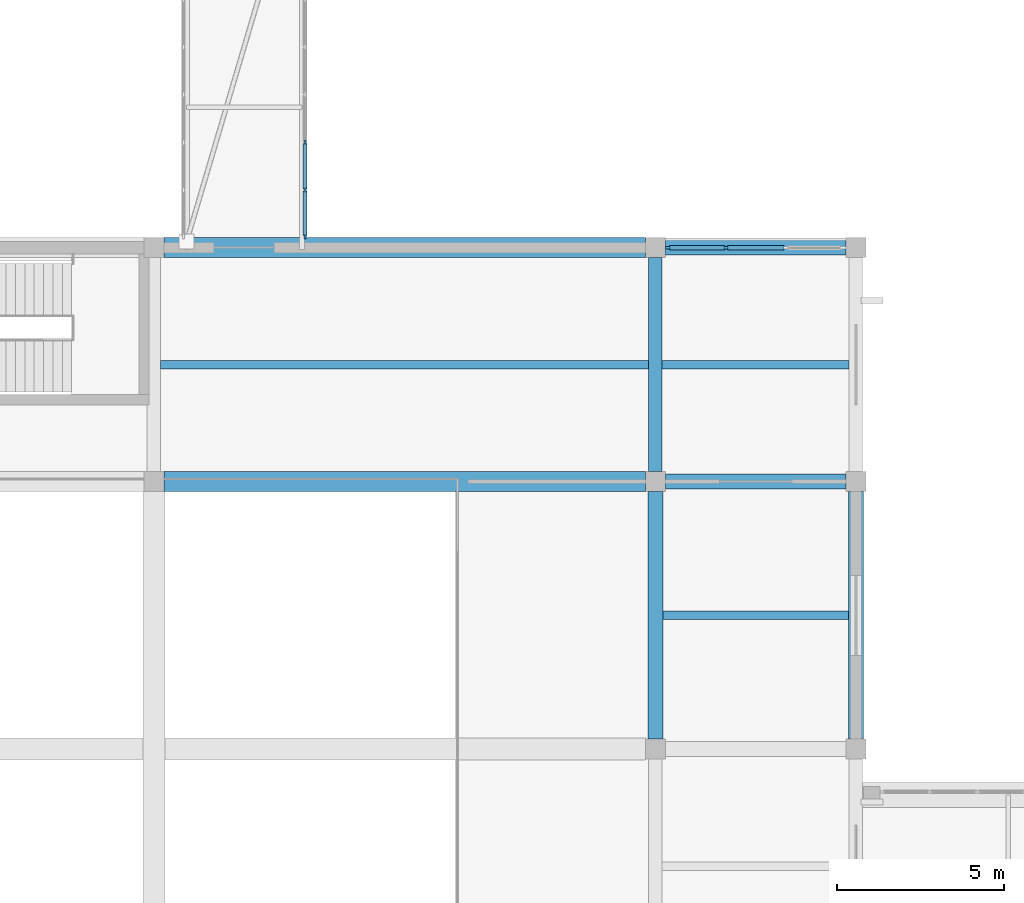
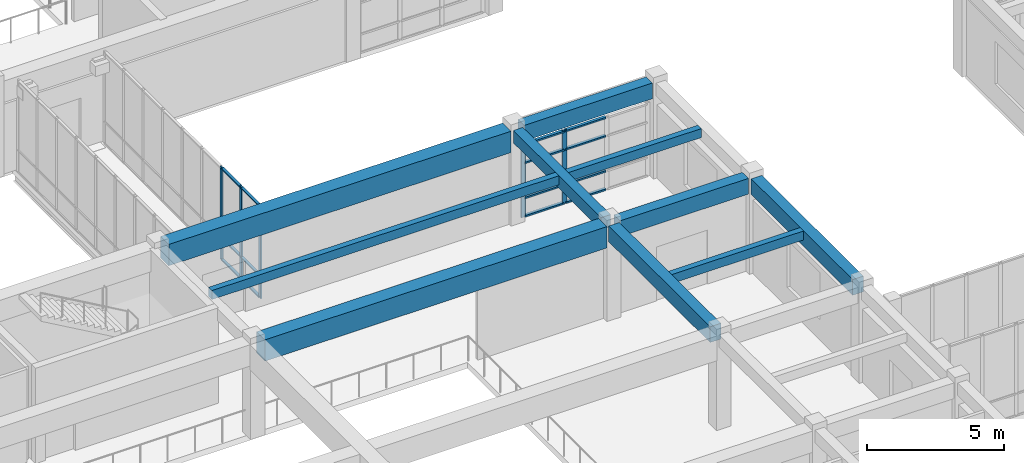
# One storey, part 9 of 72: 19 members, 10 beams, 2 elements without a shape of their own.
"""IFC4 building model written with IfcOpenShell, lengths in metres."""

from ifc_helpers import new_model, si_unit, direction, frame, origin, origin_2d, place, context, subcontext, project, spatial, rectangle, extrude, material, layer, layer_set, material_profile, profile_set, type_object, element, aggregate, save


model = new_model("IFC4")

# Units and contexts
model_context = context("Model", 3, precision=1e-05, world=origin(), true_north=direction((0.0, 1.0)))
body_context = subcontext(model_context, "Body", "Model", "MODEL_VIEW")
ifc_project = project(units=[si_unit("LENGTHUNIT", "METRE"), si_unit("AREAUNIT", "SQUARE_METRE"), si_unit("VOLUMEUNIT", "CUBIC_METRE"), si_unit("PLANEANGLEUNIT", "RADIAN"), si_unit("MASSUNIT", "GRAM", prefix="KILO")], contexts=[model_context])

# Site, building, storey
site_placement = place(None, origin())
site = spatial("IfcSite", under=ifc_project, at=site_placement, CompositionType="ELEMENT")
building_placement = place(site_placement, origin())
building = spatial("IfcBuilding", under=site, at=building_placement, Name="Naurynzar Civic Courthouse", CompositionType="ELEMENT")
storey_placement = place(building_placement, frame((0.0, 0.0, 9.89990234375)))
storey = spatial("IfcBuildingStorey", under=building, at=storey_placement, Name="L03", CompositionType="ELEMENT", Elevation=9.89990234375)

# Beams
ifc_material_1 = material(Name="Concrete C40/50", Category="concrete")
ifc_material_profile_1 = material_profile(ifc_material_1, rectangle(XDim=0.25, YDim=0.39990234375, at=origin_2d()), Name="RCB 250x400")
ifc_profile_set_1 = profile_set([ifc_material_profile_1], Name="Concrete C40/50")
beam_type_1 = type_object("IfcBeamType", Name="BM-JST-250x400", PredefinedType="JOIST", material=ifc_profile_set_1)
beam_1_placement = place(storey_placement, frame((50.22509765625, 21.0, 4.030029296875), z_axis=(1.0, 0.0, 0.0), x_axis=(0.0, 1.0, 0.0)))
element("IfcBeam", 1, at=beam_1_placement, inside=storey, type_object=beam_type_1, Name="V4 secondary rib 1908 L03", PredefinedType="JOIST", context=body_context, shape_type="SweptSolid", body=[
    extrude(rectangle(XDim=0.25, YDim=0.39990234375, at=origin_2d()), origin(), (0.0, 0.0, 1.0), 5.5498046875),
])
beam_2_placement = place(storey_placement, frame((35.199951171875, 28.5, 4.030029296875), z_axis=(1.0, 0.0, 0.0), x_axis=(0.0, 1.0, 0.0)))
element("IfcBeam", 2, at=beam_2_placement, inside=storey, type_object=beam_type_1, Name="V4 secondary rib 1909 L03", PredefinedType="JOIST", context=body_context, shape_type="SweptSolid", body=[
    extrude(rectangle(XDim=0.25, YDim=0.39990234375, at=origin_2d()), origin(), (0.0, 0.0, 1.0), 14.60009765625),
])
beam_3_placement = place(storey_placement, frame((50.199951171875, 28.5, 4.030029296875), z_axis=(1.0, 0.0, 0.0), x_axis=(0.0, 1.0, 0.0)))
element("IfcBeam", 3, at=beam_3_placement, inside=storey, type_object=beam_type_1, Name="V4 secondary rib 1910 L03", PredefinedType="JOIST", context=body_context, shape_type="SweptSolid", body=[
    extrude(rectangle(XDim=0.25, YDim=0.39990234375, at=origin_2d()), origin(), (0.0, 0.0, 1.0), 5.60009765625),
])
ifc_material_2 = material(Name="Concrete C40/50", Category="concrete")
ifc_material_profile_2 = material_profile(ifc_material_2, rectangle(XDim=0.60009765625, YDim=0.949951171875, at=origin_2d()), Name="PTB 600x950")
ifc_profile_set_2 = profile_set([ifc_material_profile_2], Name="Concrete C40/50")
beam_type_2 = type_object("IfcBeamType", Name="BM-PT-600x950", PredefinedType="T_BEAM", material=ifc_profile_set_2)
for number, where, z_axis, x_axis, name in (
    (4, (35.300048828125, 25.0, 3.755126953125), (1.0, 0.0, 0.0), (0.0, 1.0, 0.0), "V4 beam X-1873 L03"),
    (5, (35.300048828125, 32.0, 3.755126953125), (1.0, 0.0, 0.0), (0.0, 1.0, 0.0), "V4 beam X-1878 L03"),
):
    element("IfcBeam", number, at=place(storey_placement, frame(where, z_axis=z_axis, x_axis=x_axis)), inside=storey, type_object=beam_type_2, Name=name, PredefinedType="T_BEAM", context=body_context, shape_type="SweptSolid", body=[
        extrude(rectangle(XDim=0.60009765625, YDim=0.949951171875, at=origin_2d()), origin(), (0.0, 0.0, 1.0), 14.39990234375),
    ])
ifc_material_3 = material(Name="Concrete C40/50", Category="concrete")
ifc_material_profile_3 = material_profile(ifc_material_3, rectangle(XDim=0.39990234375, YDim=0.550048828125, at=origin_2d()), Name="RCB 400x550")
ifc_profile_set_3 = profile_set([ifc_material_profile_3], Name="Concrete C40/50")
beam_type_3 = type_object("IfcBeamType", Name="BM-RC-400x550", PredefinedType="BEAM", material=ifc_profile_set_3)
beam_4_placement = place(storey_placement, frame((50.0, 25.300048828125, 3.955078125), z_axis=(0.0, 1.0, 0.0), x_axis=(-1.0, 0.0, 0.0)))
element("IfcBeam", 6, at=beam_4_placement, inside=storey, type_object=beam_type_3, Name="V4 girder Y-1898 L03", PredefinedType="BEAM", context=body_context, shape_type="SweptSolid", body=[
    extrude(rectangle(XDim=0.39990234375, YDim=0.550048828125, at=origin_2d()), origin(), (0.0, 0.0, 1.0), 6.39990234375),
])
ifc_material_4 = material(Name="Concrete C40/50", Category="concrete")
ifc_material_profile_4 = material_profile(ifc_material_4, rectangle(XDim=0.449951171875, YDim=0.699951171875, at=origin_2d()), Name="RCB 450x700")
ifc_profile_set_4 = profile_set([ifc_material_profile_4], Name="Concrete C40/50")
beam_type_4 = type_object("IfcBeamType", Name="BM-RC-450x700", PredefinedType="BEAM", material=ifc_profile_set_4)
for number, where, z_axis, x_axis, name in (
    (7, (50.300048828125, 25.0, 3.880126953125), (1.0, 0.0, 0.0), (0.0, 1.0, 0.0), "V4 beam X-1874 L03"),
    (8, (50.300048828125, 32.0, 3.880126953125), (1.0, 0.0, 0.0), (0.0, 1.0, 0.0), "V4 beam X-1879 L03"),
):
    element("IfcBeam", number, at=place(storey_placement, frame(where, z_axis=z_axis, x_axis=x_axis)), inside=storey, type_object=beam_type_4, Name=name, PredefinedType="BEAM", context=body_context, shape_type="SweptSolid", body=[
        extrude(rectangle(XDim=0.449951171875, YDim=0.699951171875, at=origin_2d()), origin(), (0.0, 0.0, 1.0), 5.39990234375),
    ])
for number, where, z_axis, x_axis, name in (
    (9, (50.0, 17.300048828125, 3.880126953125), (0.0, 1.0, 0.0), (-1.0, 0.0, 0.0), "V4 girder Y-1897 L03"),
    (10, (56.0, 17.300048828125, 3.880126953125), (0.0, 1.0, 0.0), (-1.0, 0.0, 0.0), "V4 girder Y-1901 L03"),
):
    element("IfcBeam", number, at=place(storey_placement, frame(where, z_axis=z_axis, x_axis=x_axis)), inside=storey, type_object=beam_type_4, Name=name, PredefinedType="BEAM", context=body_context, shape_type="SweptSolid", body=[
        extrude(rectangle(XDim=0.449951171875, YDim=0.699951171875, at=origin_2d()), origin(), (0.0, 0.0, 1.0), 7.39990234375),
    ])

# Curtain wall, members
ifc_material_5 = material(Name="Aluminium 6063-T6", Category="aluminium")
ifc_layer_1 = layer(ifc_material_5, 0.14990234375)
ifc_layer_set_1 = layer_set([ifc_layer_1], Name="CW-BRIDGE-1500")
curtain_wall_type_1 = type_object("IfcCurtainWallType", Name="CW-BRIDGE-1500", PredefinedType="USERDEFINED", material=ifc_layer_set_1)
curtain_wall_1_placement = place(storey_placement, origin())
curtain_wall_1 = element("IfcCurtainWall", 11, at=curtain_wall_1_placement, inside=storey, type_object=curtain_wall_type_1, Name="BR-W1 glazed bridge screen L03.2", ObjectType="GLAZED BRIDGE SCREEN", PredefinedType="USERDEFINED")
ifc_material_6 = material(Name="Aluminium 6063-T6", Category="aluminium")
ifc_material_profile_5 = material_profile(ifc_material_6, rectangle(XDim=0.06005859375, YDim=0.14990234375, at=origin_2d()), Name="ALU MULLION 60x150")
ifc_profile_set_5 = profile_set([ifc_material_profile_5], Name="Aluminium 6063-T6")
member_type_1 = type_object("IfcMemberType", Name="CWM-60x150", PredefinedType="MULLION", material=ifc_profile_set_5)
member_1_placement = place(storey_placement, frame((39.52001953125, 32.330078125, 0.0), z_axis=(0.0, 0.0, 1.0), x_axis=(-1.0, 0.0, 0.0)))
member_1 = element("IfcMember", 12, at=member_1_placement, type_object=member_type_1, Name="CW-03 mullion 1", PredefinedType="MULLION", context=body_context, shape_type="SweptSolid", body=[
    extrude(rectangle(XDim=0.06005859375, YDim=0.14990234375, at=origin_2d()), origin(), (0.0, 0.0, 1.0), 4.1201171875),
])
member_2_placement = place(storey_placement, frame((39.52001953125, 33.72509765625, 0.0), z_axis=(0.0, 0.0, 1.0), x_axis=(-1.0, 0.0, 0.0)))
member_2 = element("IfcMember", 13, at=member_2_placement, type_object=member_type_1, Name="CW-03 mullion 2", PredefinedType="MULLION", context=body_context, shape_type="SweptSolid", body=[
    extrude(rectangle(XDim=0.06005859375, YDim=0.14990234375, at=origin_2d()), origin(), (0.0, 0.0, 1.0), 4.1201171875),
])
member_3_placement = place(storey_placement, frame((39.52001953125, 35.14990234375, 0.0), z_axis=(0.0, 0.0, 1.0), x_axis=(-1.0, 0.0, 0.0)))
member_3 = element("IfcMember", 14, at=member_3_placement, type_object=member_type_1, Name="CW-03 mullion 3", PredefinedType="MULLION", context=body_context, shape_type="SweptSolid", body=[
    extrude(rectangle(XDim=0.06005859375, YDim=0.14990234375, at=origin_2d()), origin(), (0.0, 0.0, 1.0), 4.1201171875),
])

ifc_material_7 = material(Name="Aluminium 6063-T6", Category="aluminium")
ifc_layer_2 = layer(ifc_material_7, 0.159912109375)
ifc_layer_set_2 = layer_set([ifc_layer_2], Name="CW-UNIT-1800")
curtain_wall_type_2 = type_object("IfcCurtainWallType", Name="CW-UNIT-1800", PredefinedType="NOTDEFINED", material=ifc_layer_set_2)
curtain_wall_2_placement = place(storey_placement, origin())
curtain_wall_2 = element("IfcCurtainWall", 15, at=curtain_wall_2_placement, inside=storey, type_object=curtain_wall_type_2, Name="V4 unitised curtain wall 79 L03", PredefinedType="NOTDEFINED")
ifc_material_8 = material(Name="Aluminium 6063-T6", Category="aluminium")
ifc_material_profile_6 = material_profile(ifc_material_8, rectangle(XDim=0.070068359375, YDim=0.179931640625, at=origin_2d()), Name="ALU MULLION 70x180")
ifc_profile_set_6 = profile_set([ifc_material_profile_6], Name="Aluminium 6063-T6")
member_type_2 = type_object("IfcMemberType", Name="CWM-70x180", PredefinedType="MULLION", material=ifc_profile_set_6)
member_4_placement = place(storey_placement, frame((50.385009765625, 32.0, 0.0), z_axis=(0.0, 0.0, 1.0), x_axis=(0.0, 1.0, 0.0)))
member_4 = element("IfcMember", 16, at=member_4_placement, type_object=member_type_2, Name="CW-02 mullion 1", PredefinedType="MULLION", context=body_context, shape_type="SweptSolid", body=[
    extrude(rectangle(XDim=0.070068359375, YDim=0.179931640625, at=origin_2d()), origin(), (0.0, 0.0, 1.0), 3.260009765625),
])
member_5_placement = place(storey_placement, frame((52.11669921875, 32.0, 0.0), z_axis=(0.0, 0.0, 1.0), x_axis=(0.0, 1.0, 0.0)))
member_5 = element("IfcMember", 17, at=member_5_placement, type_object=member_type_2, Name="CW-02 mullion 2", PredefinedType="MULLION", context=body_context, shape_type="SweptSolid", body=[
    extrude(rectangle(XDim=0.070068359375, YDim=0.179931640625, at=origin_2d()), origin(), (0.0, 0.0, 1.0), 3.260009765625),
])

# Member
ifc_material_9 = material(Name="Aluminium 6063-T6", Category="aluminium")
ifc_material_profile_7 = material_profile(ifc_material_9, rectangle(XDim=0.110107421875, YDim=0.06005859375, at=origin_2d()), Name="ALU TRANSOM 60x110")
ifc_profile_set_7 = profile_set([ifc_material_profile_7], Name="Aluminium 6063-T6")
member_type_3 = type_object("IfcMemberType", Name="CWT-60x110", PredefinedType="USERDEFINED", material=ifc_profile_set_7)
member_6_placement = place(storey_placement, frame((39.52001953125, 32.360107421875, 0.030029296875), z_axis=(0.0, 1.0, 0.0), x_axis=(-1.0, 0.0, 0.0)))
member_6 = element("IfcMember", 18, at=member_6_placement, type_object=member_type_3, Name="CW-03 transom 1.1", ObjectType="TRANSOM", PredefinedType="USERDEFINED", context=body_context, shape_type="SweptSolid", body=[
    extrude(rectangle(XDim=0.110107421875, YDim=0.06005859375, at=origin_2d()), origin(), (0.0, 0.0, 1.0), 1.3349609375),
])

member_7_placement = place(storey_placement, frame((39.52001953125, 32.360107421875, 1.0), z_axis=(0.0, 1.0, 0.0), x_axis=(-1.0, 0.0, 0.0)))
member_7 = element("IfcMember", 19, at=member_7_placement, type_object=member_type_3, Name="CW-03 transom 1.2", ObjectType="TRANSOM", PredefinedType="USERDEFINED", context=body_context, shape_type="SweptSolid", body=[
    extrude(rectangle(XDim=0.110107421875, YDim=0.06005859375, at=origin_2d()), origin(), (0.0, 0.0, 1.0), 1.3349609375),
])

member_8_placement = place(storey_placement, frame((39.52001953125, 32.360107421875, 4.090087890625), z_axis=(0.0, 1.0, 0.0), x_axis=(-1.0, 0.0, 0.0)))
member_8 = element("IfcMember", 20, at=member_8_placement, type_object=member_type_3, Name="CW-03 transom 1.3", ObjectType="TRANSOM", PredefinedType="USERDEFINED", context=body_context, shape_type="SweptSolid", body=[
    extrude(rectangle(XDim=0.110107421875, YDim=0.06005859375, at=origin_2d()), origin(), (0.0, 0.0, 1.0), 1.3349609375),
])

member_9_placement = place(storey_placement, frame((39.52001953125, 33.7548828125, 0.030029296875), z_axis=(0.0, 1.0, 0.0), x_axis=(-1.0, 0.0, 0.0)))
member_9 = element("IfcMember", 21, at=member_9_placement, type_object=member_type_3, Name="CW-03 transom 2.1", ObjectType="TRANSOM", PredefinedType="USERDEFINED", context=body_context, shape_type="SweptSolid", body=[
    extrude(rectangle(XDim=0.110107421875, YDim=0.06005859375, at=origin_2d()), origin(), (0.0, 0.0, 1.0), 1.365234375),
])

member_10_placement = place(storey_placement, frame((39.52001953125, 33.7548828125, 1.0), z_axis=(0.0, 1.0, 0.0), x_axis=(-1.0, 0.0, 0.0)))
member_10 = element("IfcMember", 22, at=member_10_placement, type_object=member_type_3, Name="CW-03 transom 2.2", ObjectType="TRANSOM", PredefinedType="USERDEFINED", context=body_context, shape_type="SweptSolid", body=[
    extrude(rectangle(XDim=0.110107421875, YDim=0.06005859375, at=origin_2d()), origin(), (0.0, 0.0, 1.0), 1.365234375),
])

member_11_placement = place(storey_placement, frame((39.52001953125, 33.7548828125, 4.090087890625), z_axis=(0.0, 1.0, 0.0), x_axis=(-1.0, 0.0, 0.0)))
member_11 = element("IfcMember", 23, at=member_11_placement, type_object=member_type_3, Name="CW-03 transom 2.3", ObjectType="TRANSOM", PredefinedType="USERDEFINED", context=body_context, shape_type="SweptSolid", body=[
    extrude(rectangle(XDim=0.110107421875, YDim=0.06005859375, at=origin_2d()), origin(), (0.0, 0.0, 1.0), 1.365234375),
])

aggregate(curtain_wall_1, [member_1, member_2, member_3, member_6, member_7, member_8, member_9, member_10, member_11])

ifc_material_10 = material(Name="Aluminium 6063-T6", Category="aluminium")
ifc_material_profile_8 = material_profile(ifc_material_10, rectangle(XDim=0.1298828125, YDim=0.070068359375, at=origin_2d()), Name="ALU TRANSOM 70x130")
ifc_profile_set_8 = profile_set([ifc_material_profile_8], Name="Aluminium 6063-T6")
member_type_4 = type_object("IfcMemberType", Name="CWT-70x130", PredefinedType="USERDEFINED", material=ifc_profile_set_8)
member_12_placement = place(storey_placement, frame((50.419921875, 32.0, 0.03515625), z_axis=(1.0, 0.0, 0.0), x_axis=(0.0, 1.0, 0.0)))
member_12 = element("IfcMember", 24, at=member_12_placement, type_object=member_type_4, Name="CW-02 transom 1.1", ObjectType="TRANSOM", PredefinedType="USERDEFINED", context=body_context, shape_type="SweptSolid", body=[
    extrude(rectangle(XDim=0.1298828125, YDim=0.070068359375, at=origin_2d()), origin(), (0.0, 0.0, 1.0), 1.661865234375),
])

member_13_placement = place(storey_placement, frame((50.419921875, 32.0, 0.85009765625), z_axis=(1.0, 0.0, 0.0), x_axis=(0.0, 1.0, 0.0)))
member_13 = element("IfcMember", 25, at=member_13_placement, type_object=member_type_4, Name="CW-02 transom 1.2", ObjectType="TRANSOM", PredefinedType="USERDEFINED", context=body_context, shape_type="SweptSolid", body=[
    extrude(rectangle(XDim=0.1298828125, YDim=0.070068359375, at=origin_2d()), origin(), (0.0, 0.0, 1.0), 1.661865234375),
])

member_14_placement = place(storey_placement, frame((50.419921875, 32.0, 2.41015625), z_axis=(1.0, 0.0, 0.0), x_axis=(0.0, 1.0, 0.0)))
member_14 = element("IfcMember", 26, at=member_14_placement, type_object=member_type_4, Name="CW-02 transom 1.3", ObjectType="TRANSOM", PredefinedType="USERDEFINED", context=body_context, shape_type="SweptSolid", body=[
    extrude(rectangle(XDim=0.1298828125, YDim=0.070068359375, at=origin_2d()), origin(), (0.0, 0.0, 1.0), 1.661865234375),
])

member_15_placement = place(storey_placement, frame((50.419921875, 32.0, 3.22509765625), z_axis=(1.0, 0.0, 0.0), x_axis=(0.0, 1.0, 0.0)))
member_15 = element("IfcMember", 27, at=member_15_placement, type_object=member_type_4, Name="CW-02 transom 1.4", ObjectType="TRANSOM", PredefinedType="USERDEFINED", context=body_context, shape_type="SweptSolid", body=[
    extrude(rectangle(XDim=0.1298828125, YDim=0.070068359375, at=origin_2d()), origin(), (0.0, 0.0, 1.0), 1.661865234375),
])

member_16_placement = place(storey_placement, frame((52.151611328125, 32.0, 0.03515625), z_axis=(1.0, 0.0, 0.0), x_axis=(0.0, 1.0, 0.0)))
member_16 = element("IfcMember", 28, at=member_16_placement, type_object=member_type_4, Name="CW-02 transom 2.1", ObjectType="TRANSOM", PredefinedType="USERDEFINED", context=body_context, shape_type="SweptSolid", body=[
    extrude(rectangle(XDim=0.1298828125, YDim=0.070068359375, at=origin_2d()), origin(), (0.0, 0.0, 1.0), 1.69677734375),
])

member_17_placement = place(storey_placement, frame((52.151611328125, 32.0, 0.85009765625), z_axis=(1.0, 0.0, 0.0), x_axis=(0.0, 1.0, 0.0)))
member_17 = element("IfcMember", 29, at=member_17_placement, type_object=member_type_4, Name="CW-02 transom 2.2", ObjectType="TRANSOM", PredefinedType="USERDEFINED", context=body_context, shape_type="SweptSolid", body=[
    extrude(rectangle(XDim=0.1298828125, YDim=0.070068359375, at=origin_2d()), origin(), (0.0, 0.0, 1.0), 1.69677734375),
])

member_18_placement = place(storey_placement, frame((52.151611328125, 32.0, 2.41015625), z_axis=(1.0, 0.0, 0.0), x_axis=(0.0, 1.0, 0.0)))
member_18 = element("IfcMember", 30, at=member_18_placement, type_object=member_type_4, Name="CW-02 transom 2.3", ObjectType="TRANSOM", PredefinedType="USERDEFINED", context=body_context, shape_type="SweptSolid", body=[
    extrude(rectangle(XDim=0.1298828125, YDim=0.070068359375, at=origin_2d()), origin(), (0.0, 0.0, 1.0), 1.69677734375),
])

member_19_placement = place(storey_placement, frame((52.151611328125, 32.0, 3.22509765625), z_axis=(1.0, 0.0, 0.0), x_axis=(0.0, 1.0, 0.0)))
member_19 = element("IfcMember", 31, at=member_19_placement, type_object=member_type_4, Name="CW-02 transom 2.4", ObjectType="TRANSOM", PredefinedType="USERDEFINED", context=body_context, shape_type="SweptSolid", body=[
    extrude(rectangle(XDim=0.1298828125, YDim=0.070068359375, at=origin_2d()), origin(), (0.0, 0.0, 1.0), 1.69677734375),
])

aggregate(curtain_wall_2, [member_4, member_5, member_12, member_13, member_14, member_15, member_16, member_17, member_18, member_19])

save(model, "model.ifc")
